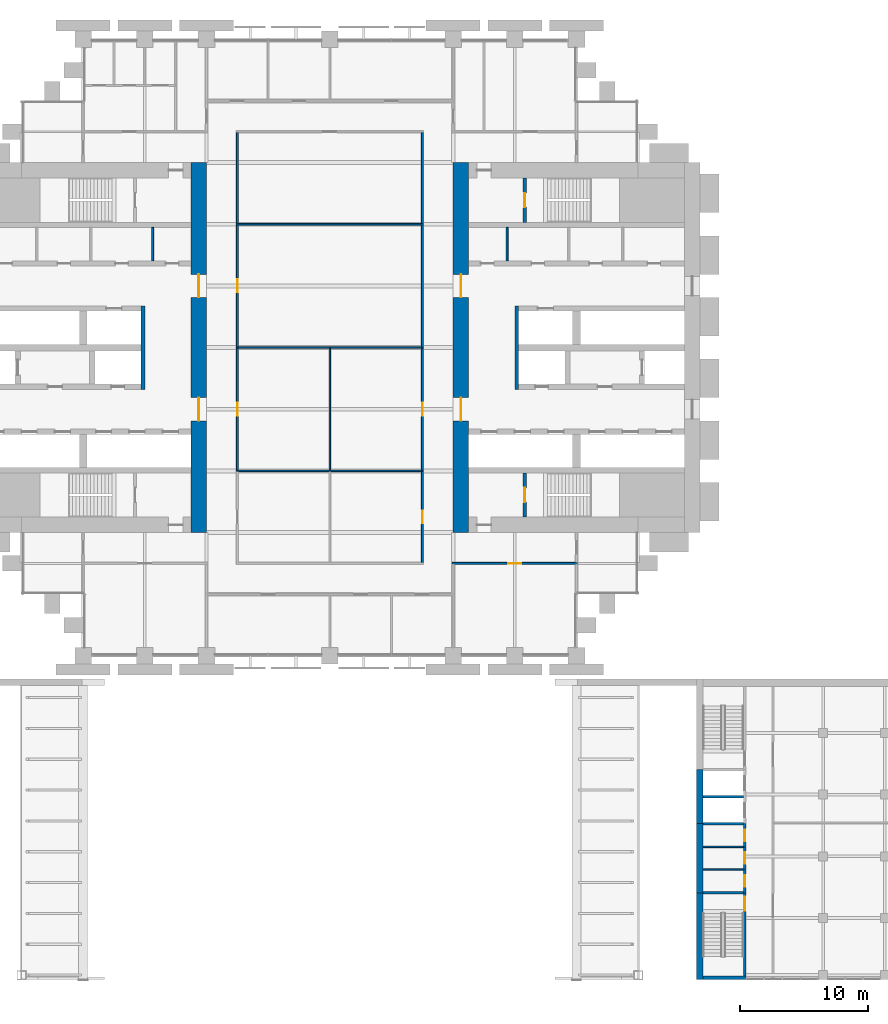
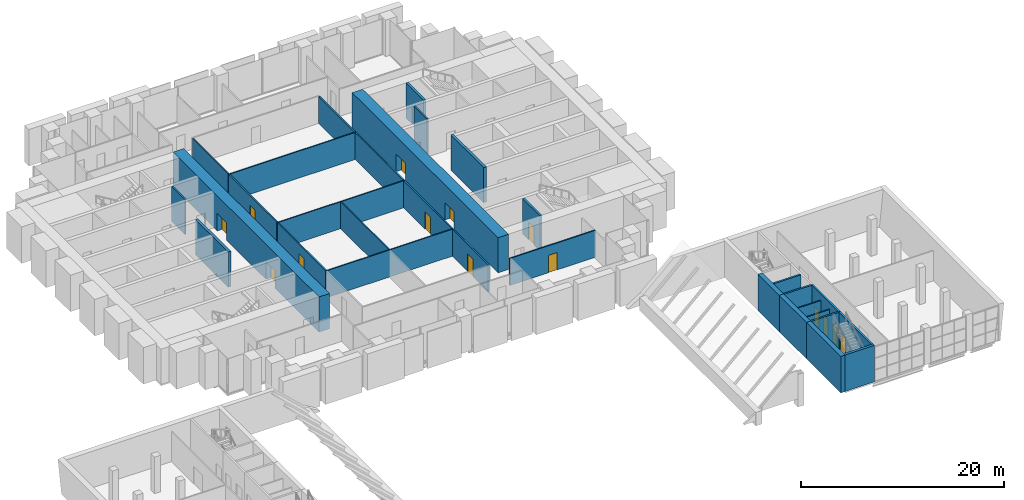
# One storey, part 22 of 30: 31 walls, 15 doors, 15 openings.
"""IFC4 building model written with IfcOpenShell, lengths in metres."""

from ifc_helpers import new_model, si_unit, direction, frame, frame_2d, origin, place, context, subcontext, project, spatial, rectangle, extrude, material, layer, layer_set, type_object, element, fill, save


model = new_model("IFC4")

# Units and contexts
model_context = context("Model", 3, precision=1e-05, world=origin(), true_north=direction((0.0, 1.0)))
body_context = subcontext(model_context, "Body", "Model", "MODEL_VIEW")
ifc_project = project(units=[si_unit("LENGTHUNIT", "METRE"), si_unit("AREAUNIT", "SQUARE_METRE"), si_unit("VOLUMEUNIT", "CUBIC_METRE"), si_unit("PLANEANGLEUNIT", "RADIAN"), si_unit("MASSUNIT", "GRAM", prefix="KILO")], contexts=[model_context])

# Site, building, storey
site_placement = place(None, origin())
site = spatial("IfcSite", under=ifc_project, at=site_placement, CompositionType="ELEMENT")
building_placement = place(site_placement, origin())
building = spatial("IfcBuilding", under=site, at=building_placement, Name="Baori Bourse Tower", CompositionType="ELEMENT")
storey_placement = place(building_placement, frame((0.0, 0.0, 17.0)))
storey = spatial("IfcBuildingStorey", under=building, at=storey_placement, Name="L02", CompositionType="ELEMENT", Elevation=17.0)

# Walls
ifc_material_1 = material(Name="Blockwork partition", Category="masonry")
ifc_layer_1 = layer(ifc_material_1, 0.14990234375)
ifc_layer_set_1 = layer_set([ifc_layer_1], Name="Core partition 150")
wall_type_1 = type_object("IfcWallType", Name="Core partition 150", PredefinedType="PARTITIONING", material=ifc_layer_set_1)
for number, where, z_axis, x_axis, name in (
    (1, (15.0, 30.75, 0.0), (0.0, 0.0, 1.0), (0.0, 1.0, 0.0), "Partition wall W20"),
    (2, (42.60009765625, 30.75, 0.0), (0.0, 0.0, 1.0), (0.0, 1.0, 0.0), "Partition wall E20"),
):
    element("IfcWall", number, at=place(storey_placement, frame(where, z_axis=z_axis, x_axis=x_axis)), inside=storey, type_object=wall_type_1, Name=name, PredefinedType="PARTITIONING", context=body_context, shape_type="SweptSolid", body=[
        extrude(rectangle(XDim=2.60009765625, YDim=0.14990234375, at=frame_2d((1.300048828125, 0.0))), origin(), (0.0, 0.0, 1.0), 4.239990234375),
    ])

# Wall, openings, doors
ifc_material_2 = material(Name="Concrete f'c 70 MPa", Category="concrete")
ifc_layer_2 = layer(ifc_material_2, 1.199951171875)
ifc_layer_set_2 = layer_set([ifc_layer_2], Name="Core wall 1200 f'c 70")
wall_type_2 = type_object("IfcWallType", Name="Core wall 1200 f'c 70", PredefinedType="SHEAR", material=ifc_layer_set_2)
wall_1_placement = place(storey_placement, frame((18.60009765625, 38.39990234375, 0.0), z_axis=(0.0, 0.0, 1.0), x_axis=(0.0, -1.0, 0.0)))
wall_1 = element("IfcWall", 3, at=wall_1_placement, inside=storey, type_object=wall_type_2, Name="Core wall W04", PredefinedType="SHEAR", context=body_context, shape_type="SweptSolid", body=[
    extrude(rectangle(XDim=28.7998046875, YDim=1.199951171875, at=frame_2d((14.39990234375, 0.0))), origin(), (0.0, 0.0, 1.0), 4.239990234375),
])
opening_1_placement = place(wall_1_placement, frame((18.300048828125, 0.0, 0.0)))
opening_1 = element("IfcOpeningElement", 4, at=opening_1_placement, cuts=wall_1, Name="Opening L02-D107", PredefinedType="OPENING", context=body_context, shape_type="SweptSolid", body=[
    extrude(rectangle(XDim=1.800048828125, YDim=2.10009765625, at=frame_2d((0.89990234375, 1.050048828125))), frame((0.0, 0.60986328125, 0.0), z_axis=(0.0, -1.0, 0.0), x_axis=(1.0, 0.0, 0.0)), (0.0, 0.0, 1.0), 1.219970703125),
])
opening_2_placement = place(wall_1_placement, frame((8.699951171875, 0.0, 0.0)))
opening_2 = element("IfcOpeningElement", 5, at=opening_2_placement, cuts=wall_1, Name="Opening L02-D108", PredefinedType="OPENING", context=body_context, shape_type="SweptSolid", body=[
    extrude(rectangle(XDim=1.800048828125, YDim=2.10009765625, at=frame_2d((0.89990234375, 1.050048828125))), frame((0.0, 0.60986328125, 0.0), z_axis=(0.0, -1.0, 0.0), x_axis=(1.0, 0.0, 0.0)), (0.0, 0.0, 1.0), 1.219970703125),
])
ifc_material_3 = material(Name="Painted steel door", Category="steel")
door_type_1 = type_object("IfcDoorType", Name="Core lobby door 1800", OperationType="DOUBLE_DOOR_SINGLE_SWING", PredefinedType="DOOR", material=ifc_material_3)
door_1_placement = place(opening_1_placement, origin())
door_1 = element("IfcDoor", 6, at=door_1_placement, inside=storey, type_object=door_type_1, Name="Lobby door W L02", OperationType="DOUBLE_DOOR_SINGLE_SWING", OverallHeight=2.10009765625, OverallWidth=1.800048828125, PredefinedType="DOOR", context=body_context, shape_type="SweptSolid", body=[
    extrude(rectangle(XDim=1.800048828125, YDim=2.10009765625, at=frame_2d((0.89990234375, 1.050048828125))), frame((0.0, 0.02490234375, 0.0), z_axis=(0.0, -1.0, 0.0), x_axis=(1.0, 0.0, 0.0)), (0.0, 0.0, 1.0), 0.050048828125),
])
fill(opening_1, door_1)
door_2_placement = place(opening_2_placement, origin())
door_2 = element("IfcDoor", 7, at=door_2_placement, inside=storey, type_object=door_type_1, Name="Lobby door W L02", OperationType="DOUBLE_DOOR_SINGLE_SWING", OverallHeight=2.10009765625, OverallWidth=1.800048828125, PredefinedType="DOOR", context=body_context, shape_type="SweptSolid", body=[
    extrude(rectangle(XDim=1.800048828125, YDim=2.10009765625, at=frame_2d((0.89990234375, 1.050048828125))), frame((0.0, 0.02490234375, 0.0), z_axis=(0.0, -1.0, 0.0), x_axis=(1.0, 0.0, 0.0)), (0.0, 0.0, 1.0), 0.050048828125),
])
fill(opening_2, door_2)

wall_2_placement = place(storey_placement, frame((39.0, 9.60009765625, 0.0), z_axis=(0.0, 0.0, 1.0), x_axis=(0.0, 1.0, 0.0)))
wall_2 = element("IfcWall", 8, at=wall_2_placement, inside=storey, type_object=wall_type_2, Name="Core wall E04", PredefinedType="SHEAR", context=body_context, shape_type="SweptSolid", body=[
    extrude(rectangle(XDim=28.7998046875, YDim=1.199951171875, at=frame_2d((14.39990234375, 0.0))), origin(), (0.0, 0.0, 1.0), 4.239990234375),
])
opening_3_placement = place(wall_2_placement, frame((8.699951171875, 0.0, 0.0)))
opening_3 = element("IfcOpeningElement", 9, at=opening_3_placement, cuts=wall_2, Name="Opening L02-D207", PredefinedType="OPENING", context=body_context, shape_type="SweptSolid", body=[
    extrude(rectangle(XDim=1.800048828125, YDim=2.10009765625, at=frame_2d((0.89990234375, 1.050048828125))), frame((0.0, 0.60986328125, 0.0), z_axis=(0.0, -1.0, 0.0), x_axis=(1.0, 0.0, 0.0)), (0.0, 0.0, 1.0), 1.219970703125),
])
opening_4_placement = place(wall_2_placement, frame((18.300048828125, 0.0, 0.0)))
opening_4 = element("IfcOpeningElement", 10, at=opening_4_placement, cuts=wall_2, Name="Opening L02-D208", PredefinedType="OPENING", context=body_context, shape_type="SweptSolid", body=[
    extrude(rectangle(XDim=1.800048828125, YDim=2.10009765625, at=frame_2d((0.89990234375, 1.050048828125))), frame((0.0, 0.60986328125, 0.0), z_axis=(0.0, -1.0, 0.0), x_axis=(1.0, 0.0, 0.0)), (0.0, 0.0, 1.0), 1.219970703125),
])
door_3_placement = place(opening_3_placement, origin())
door_3 = element("IfcDoor", 11, at=door_3_placement, inside=storey, type_object=door_type_1, Name="Lobby door E L02", OperationType="DOUBLE_DOOR_SINGLE_SWING", OverallHeight=2.10009765625, OverallWidth=1.800048828125, PredefinedType="DOOR", context=body_context, shape_type="SweptSolid", body=[
    extrude(rectangle(XDim=1.800048828125, YDim=2.10009765625, at=frame_2d((0.89990234375, 1.050048828125))), frame((0.0, 0.02490234375, 0.0), z_axis=(0.0, -1.0, 0.0), x_axis=(1.0, 0.0, 0.0)), (0.0, 0.0, 1.0), 0.050048828125),
])
fill(opening_3, door_3)
door_4_placement = place(opening_4_placement, origin())
door_4 = element("IfcDoor", 12, at=door_4_placement, inside=storey, type_object=door_type_1, Name="Lobby door E L02", OperationType="DOUBLE_DOOR_SINGLE_SWING", OverallHeight=2.10009765625, OverallWidth=1.800048828125, PredefinedType="DOOR", context=body_context, shape_type="SweptSolid", body=[
    extrude(rectangle(XDim=1.800048828125, YDim=2.10009765625, at=frame_2d((0.89990234375, 1.050048828125))), frame((0.0, 0.02490234375, 0.0), z_axis=(0.0, -1.0, 0.0), x_axis=(1.0, 0.0, 0.0)), (0.0, 0.0, 1.0), 0.050048828125),
])
fill(opening_4, door_4)

# Wall, opening, door
ifc_material_4 = material(Name="Gypsum board partition")
ifc_layer_3 = layer(ifc_material_4, 0.14990234375)
ifc_layer_set_3 = layer_set([ifc_layer_3], Name="Corridor partition 150")
wall_type_3 = type_object("IfcWallType", Name="Corridor partition 150", PredefinedType="PARTITIONING", material=ifc_layer_set_3)
wall_3_placement = place(storey_placement, frame((38.324951171875, 7.199951171875, 0.0), z_axis=(0.0, 0.0, 1.0), x_axis=(1.0, 0.0, 0.0)))
wall_3 = element("IfcWall", 13, at=wall_3_placement, inside=storey, type_object=wall_type_3, Name="Partition", PredefinedType="PARTITIONING", context=body_context, shape_type="SweptSolid", body=[
    extrude(rectangle(XDim=9.75, YDim=0.14990234375, at=frame_2d((4.875, 0.0))), origin(), (0.0, 0.0, 1.0), 3.24951171875),
])
opening_5_placement = place(wall_3_placement, frame((4.375, 0.0, 0.0)))
opening_5 = element("IfcOpeningElement", 14, at=opening_5_placement, cuts=wall_3, Name="Opening L02-D05", PredefinedType="OPENING", context=body_context, shape_type="SweptSolid", body=[
    extrude(rectangle(XDim=1.0, YDim=2.10009765625, at=frame_2d((0.5, 1.050048828125))), frame((0.0, 0.0849609375, 0.0), z_axis=(0.0, -1.0, 0.0), x_axis=(1.0, 0.0, 0.0)), (0.0, 0.0, 1.0), 0.169921875),
])
ifc_material_5 = material(Name="Timber door leaf", Category="wood")
door_type_2 = type_object("IfcDoorType", Name="Door 1000 x 2100", OperationType="SINGLE_SWING_LEFT", PredefinedType="DOOR", material=ifc_material_5)
door_5_placement = place(opening_5_placement, origin())
door_5 = element("IfcDoor", 15, at=door_5_placement, inside=storey, type_object=door_type_2, Name="Door", OperationType="SINGLE_SWING_LEFT", OverallHeight=2.10009765625, OverallWidth=1.0, PredefinedType="DOOR", context=body_context, shape_type="SweptSolid", body=[
    extrude(rectangle(XDim=1.0, YDim=2.10009765625, at=frame_2d((0.5, 1.050048828125))), frame((0.0, 0.02490234375, 0.0), z_axis=(0.0, -1.0, 0.0), x_axis=(1.0, 0.0, 0.0)), (0.0, 0.0, 1.0), 0.050048828125),
])
fill(opening_5, door_5)

wall_4_placement = place(storey_placement, frame((21.60009765625, 14.46240234375, 0.0), z_axis=(0.0, 0.0, 1.0), x_axis=(0.0, 1.0, 0.0)))
wall_4 = element("IfcWall", 16, at=wall_4_placement, inside=storey, type_object=wall_type_3, Name="Partition", PredefinedType="PARTITIONING", context=body_context, shape_type="SweptSolid", body=[
    extrude(rectangle(XDim=9.47509765625, YDim=0.14990234375, at=frame_2d((4.737548828125, 0.0))), origin(), (0.0, 0.0, 1.0), 3.24951171875),
])
opening_6_placement = place(wall_4_placement, frame((4.237548828125, 0.0, 0.0)))
opening_6 = element("IfcOpeningElement", 17, at=opening_6_placement, cuts=wall_4, Name="Opening L02-D19", PredefinedType="OPENING", context=body_context, shape_type="SweptSolid", body=[
    extrude(rectangle(XDim=1.0, YDim=2.10009765625, at=frame_2d((0.5, 1.050048828125))), frame((0.0, 0.0849609375, 0.0), z_axis=(0.0, -1.0, 0.0), x_axis=(1.0, 0.0, 0.0)), (0.0, 0.0, 1.0), 0.169921875),
])
door_6_placement = place(opening_6_placement, origin())
door_6 = element("IfcDoor", 18, at=door_6_placement, inside=storey, type_object=door_type_2, Name="Door", OperationType="SINGLE_SWING_LEFT", OverallHeight=2.10009765625, OverallWidth=1.0, PredefinedType="DOOR", context=body_context, shape_type="SweptSolid", body=[
    extrude(rectangle(XDim=1.0, YDim=2.10009765625, at=frame_2d((0.5, 1.050048828125))), frame((0.0, 0.02490234375, 0.0), z_axis=(0.0, -1.0, 0.0), x_axis=(1.0, 0.0, 0.0)), (0.0, 0.0, 1.0), 0.050048828125),
])
fill(opening_6, door_6)

wall_5_placement = place(storey_placement, frame((21.60009765625, 24.0625, 0.0), z_axis=(0.0, 0.0, 1.0), x_axis=(0.0, 1.0, 0.0)))
wall_5 = element("IfcWall", 19, at=wall_5_placement, inside=storey, type_object=wall_type_3, Name="Partition", PredefinedType="PARTITIONING", context=body_context, shape_type="SweptSolid", body=[
    extrude(rectangle(XDim=9.47509765625, YDim=0.14990234375, at=frame_2d((4.737548828125, 0.0))), origin(), (0.0, 0.0, 1.0), 3.24951171875),
])
opening_7_placement = place(wall_5_placement, frame((4.237548828125, 0.0, 0.0)))
opening_7 = element("IfcOpeningElement", 20, at=opening_7_placement, cuts=wall_5, Name="Opening L02-D20", PredefinedType="OPENING", context=body_context, shape_type="SweptSolid", body=[
    extrude(rectangle(XDim=1.0, YDim=2.10009765625, at=frame_2d((0.5, 1.050048828125))), frame((0.0, 0.0849609375, 0.0), z_axis=(0.0, -1.0, 0.0), x_axis=(1.0, 0.0, 0.0)), (0.0, 0.0, 1.0), 0.169921875),
])
door_7_placement = place(opening_7_placement, origin())
door_7 = element("IfcDoor", 21, at=door_7_placement, inside=storey, type_object=door_type_2, Name="Door", OperationType="SINGLE_SWING_LEFT", OverallHeight=2.10009765625, OverallWidth=1.0, PredefinedType="DOOR", context=body_context, shape_type="SweptSolid", body=[
    extrude(rectangle(XDim=1.0, YDim=2.10009765625, at=frame_2d((0.5, 1.050048828125))), frame((0.0, 0.02490234375, 0.0), z_axis=(0.0, -1.0, 0.0), x_axis=(1.0, 0.0, 0.0)), (0.0, 0.0, 1.0), 0.050048828125),
])
fill(opening_7, door_7)

# Wall
wall_6_placement = place(storey_placement, frame((21.60009765625, 33.66259765625, 0.0), z_axis=(0.0, 0.0, 1.0), x_axis=(0.0, 1.0, 0.0)))
element("IfcWall", 22, at=wall_6_placement, inside=storey, type_object=wall_type_3, Name="Partition", PredefinedType="PARTITIONING", context=body_context, shape_type="SweptSolid", body=[
    extrude(rectangle(XDim=7.0625, YDim=0.14990234375, at=frame_2d((3.53125, 0.0))), origin(), (0.0, 0.0, 1.0), 3.24951171875),
])

# Wall, opening, door
wall_7_placement = place(storey_placement, frame((36.0, 7.27490234375, 0.0), z_axis=(0.0, 0.0, 1.0), x_axis=(0.0, 1.0, 0.0)))
wall_7 = element("IfcWall", 23, at=wall_7_placement, inside=storey, type_object=wall_type_3, Name="Partition", PredefinedType="PARTITIONING", context=body_context, shape_type="SweptSolid", body=[
    extrude(rectangle(XDim=7.0625, YDim=0.14990234375, at=frame_2d((3.53125, 0.0))), origin(), (0.0, 0.0, 1.0), 3.24951171875),
])
opening_8_placement = place(wall_7_placement, frame((3.03125, 0.0, 0.0)))
opening_8 = element("IfcOpeningElement", 24, at=opening_8_placement, cuts=wall_7, Name="Opening L02-D21", PredefinedType="OPENING", context=body_context, shape_type="SweptSolid", body=[
    extrude(rectangle(XDim=1.0, YDim=2.10009765625, at=frame_2d((0.5, 1.050048828125))), frame((0.0, 0.0849609375, 0.0), z_axis=(0.0, -1.0, 0.0), x_axis=(1.0, 0.0, 0.0)), (0.0, 0.0, 1.0), 0.169921875),
])
door_8_placement = place(opening_8_placement, origin())
door_8 = element("IfcDoor", 25, at=door_8_placement, inside=storey, type_object=door_type_2, Name="Door", OperationType="SINGLE_SWING_RIGHT", OverallHeight=2.10009765625, OverallWidth=1.0, PredefinedType="DOOR", context=body_context, shape_type="SweptSolid", body=[
    extrude(rectangle(XDim=1.0, YDim=2.10009765625, at=frame_2d((0.5, 1.050048828125))), frame((0.0, 0.02490234375, 0.0), z_axis=(0.0, -1.0, 0.0), x_axis=(1.0, 0.0, 0.0)), (0.0, 0.0, 1.0), 0.050048828125),
])
fill(opening_8, door_8)

wall_8_placement = place(storey_placement, frame((36.0, 14.46240234375, 0.0), z_axis=(0.0, 0.0, 1.0), x_axis=(0.0, 1.0, 0.0)))
wall_8 = element("IfcWall", 26, at=wall_8_placement, inside=storey, type_object=wall_type_3, Name="Partition", PredefinedType="PARTITIONING", context=body_context, shape_type="SweptSolid", body=[
    extrude(rectangle(XDim=9.47509765625, YDim=0.14990234375, at=frame_2d((4.737548828125, 0.0))), origin(), (0.0, 0.0, 1.0), 3.24951171875),
])
opening_9_placement = place(wall_8_placement, frame((4.237548828125, 0.0, 0.0)))
opening_9 = element("IfcOpeningElement", 27, at=opening_9_placement, cuts=wall_8, Name="Opening L02-D22", PredefinedType="OPENING", context=body_context, shape_type="SweptSolid", body=[
    extrude(rectangle(XDim=1.0, YDim=2.10009765625, at=frame_2d((0.5, 1.050048828125))), frame((0.0, 0.0849609375, 0.0), z_axis=(0.0, -1.0, 0.0), x_axis=(1.0, 0.0, 0.0)), (0.0, 0.0, 1.0), 0.169921875),
])
door_9_placement = place(opening_9_placement, origin())
door_9 = element("IfcDoor", 28, at=door_9_placement, inside=storey, type_object=door_type_2, Name="Door", OperationType="SINGLE_SWING_RIGHT", OverallHeight=2.10009765625, OverallWidth=1.0, PredefinedType="DOOR", context=body_context, shape_type="SweptSolid", body=[
    extrude(rectangle(XDim=1.0, YDim=2.10009765625, at=frame_2d((0.5, 1.050048828125))), frame((0.0, 0.02490234375, 0.0), z_axis=(0.0, -1.0, 0.0), x_axis=(1.0, 0.0, 0.0)), (0.0, 0.0, 1.0), 0.050048828125),
])
fill(opening_9, door_9)

# Walls
wall_9_placement = place(storey_placement, frame((36.0, 24.0625, 0.0), z_axis=(0.0, 0.0, 1.0), x_axis=(0.0, 1.0, 0.0)))
element("IfcWall", 29, at=wall_9_placement, inside=storey, type_object=wall_type_3, Name="Partition", PredefinedType="PARTITIONING", context=body_context, shape_type="SweptSolid", body=[
    extrude(rectangle(XDim=9.47509765625, YDim=0.14990234375, at=frame_2d((4.737548828125, 0.0))), origin(), (0.0, 0.0, 1.0), 3.24951171875),
])
wall_10_placement = place(storey_placement, frame((36.0, 33.66259765625, 0.0), z_axis=(0.0, 0.0, 1.0), x_axis=(0.0, 1.0, 0.0)))
element("IfcWall", 30, at=wall_10_placement, inside=storey, type_object=wall_type_3, Name="Partition", PredefinedType="PARTITIONING", context=body_context, shape_type="SweptSolid", body=[
    extrude(rectangle(XDim=7.0625, YDim=0.14990234375, at=frame_2d((3.53125, 0.0))), origin(), (0.0, 0.0, 1.0), 3.24951171875),
])
ifc_material_6 = material(Name="Concrete f'c 50 MPa", Category="concrete")
ifc_layer_4 = layer(ifc_material_6, 0.300048828125)
ifc_layer_set_4 = layer_set([ifc_layer_4], Name="Entrance wall 300")
wall_type_4 = type_object("IfcWallType", Name="Entrance wall 300", PredefinedType="SOLIDWALL", material=ifc_layer_set_4)
wall_11_placement = place(storey_placement, frame((61.199951171875, -25.050048828125, 0.0), z_axis=(0.0, 0.0, 1.0), x_axis=(-1.0, 0.0, 0.0)))
element("IfcWall", 31, at=wall_11_placement, inside=storey, type_object=wall_type_4, Name="wing/L02/Esouthwall/001", PredefinedType="SOLIDWALL", context=body_context, shape_type="SweptSolid", body=[
    extrude(rectangle(XDim=3.349853515625, YDim=0.300048828125, at=frame_2d((1.6748046875, 0.0))), origin(), (0.0, 0.0, 1.0), 4.39990234375),
])
ifc_material_7 = material(Name="Concrete f'c 50 MPa", Category="concrete")
ifc_layer_5 = layer(ifc_material_7, 0.5)
ifc_layer_set_5 = layer_set([ifc_layer_5], Name="Hall end wall 500")
wall_type_5 = type_object("IfcWallType", Name="Hall end wall 500", PredefinedType="SOLIDWALL", material=ifc_layer_set_5)
wall_12_placement = place(storey_placement, frame((57.60009765625, -8.860107421875, 0.0), z_axis=(0.0, 0.0, 1.0), x_axis=(0.0, -1.0, 0.0)))
element("IfcWall", 32, at=wall_12_placement, inside=storey, type_object=wall_type_5, Name="wing/L02/Ehallwall/002", PredefinedType="SOLIDWALL", context=body_context, shape_type="SweptSolid", body=[
    extrude(rectangle(XDim=4.199951171875, YDim=0.5, at=frame_2d((2.10009765625, 0.0))), origin(), (0.0, 0.0, 1.0), 4.39990234375),
])
wall_13_placement = place(storey_placement, frame((57.60009765625, -13.06005859375, 0.0), z_axis=(0.0, 0.0, 1.0), x_axis=(0.0, -1.0, 0.0)))
element("IfcWall", 33, at=wall_13_placement, inside=storey, type_object=wall_type_5, Name="wing/L02/Ehallwall/003", PredefinedType="SOLIDWALL", context=body_context, shape_type="SweptSolid", body=[
    extrude(rectangle(XDim=5.3798828125, YDim=0.5, at=frame_2d((2.68994140625, 0.0))), origin(), (0.0, 0.0, 1.0), 4.39990234375),
])
wall_14_placement = place(storey_placement, frame((57.60009765625, -18.43994140625, 0.0), z_axis=(0.0, 0.0, 1.0), x_axis=(0.0, -1.0, 0.0)))
element("IfcWall", 34, at=wall_14_placement, inside=storey, type_object=wall_type_5, Name="wing/L02/Ehallwall/004", PredefinedType="SOLIDWALL", context=body_context, shape_type="SweptSolid", body=[
    extrude(rectangle(XDim=6.760009765625, YDim=0.5, at=frame_2d((3.3798828125, 0.0))), origin(), (0.0, 0.0, 1.0), 4.39990234375),
])
ifc_material_8 = material(Name="Gypsum board partition")
ifc_layer_6 = layer(ifc_material_8, 0.125)
ifc_layer_set_6 = layer_set([ifc_layer_6], Name="Partition 125")
wall_type_6 = type_object("IfcWallType", Name="Partition 125", PredefinedType="PARTITIONING", material=ifc_layer_set_6)
for number, where, z_axis, x_axis, name in (
    (35, (21.52490234375, 14.39990234375, 0.0), (0.0, 0.0, 1.0), (1.0, 0.0, 0.0), "Partition"),
    (36, (21.52490234375, 24.0, 0.0), (0.0, 0.0, 1.0), (1.0, 0.0, 0.0), "Partition"),
    (37, (21.52490234375, 33.60009765625, 0.0), (0.0, 0.0, 1.0), (1.0, 0.0, 0.0), "Partition"),
):
    element("IfcWall", number, at=place(storey_placement, frame(where, z_axis=z_axis, x_axis=x_axis)), inside=storey, type_object=wall_type_6, Name=name, PredefinedType="PARTITIONING", context=body_context, shape_type="SweptSolid", body=[
        extrude(rectangle(XDim=14.550048828125, YDim=0.125, at=frame_2d((7.27490234375, 0.0))), origin(), (0.0, 0.0, 1.0), 3.24951171875),
    ])
wall_15_placement = place(storey_placement, frame((28.800048828125, 14.46240234375, 0.0), z_axis=(0.0, 0.0, 1.0), x_axis=(0.0, 1.0, 0.0)))
element("IfcWall", 38, at=wall_15_placement, inside=storey, type_object=wall_type_6, Name="Partition", PredefinedType="PARTITIONING", context=body_context, shape_type="SweptSolid", body=[
    extrude(rectangle(XDim=9.47509765625, YDim=0.125, at=frame_2d((4.737548828125, 0.0))), origin(), (0.0, 0.0, 1.0), 3.24951171875),
])

# Wall, openings, doors
ifc_material_9 = material(Name="Concrete f'c 50 MPa", Category="concrete")
ifc_layer_7 = layer(ifc_material_9, 0.199951171875)
ifc_layer_set_7 = layer_set([ifc_layer_7], Name="Shaft wall 200")
wall_type_7 = type_object("IfcWallType", Name="Shaft wall 200", PredefinedType="SOLIDWALL", material=ifc_layer_set_7)
wall_16_placement = place(storey_placement, frame((61.10009765625, -13.06005859375, 0.0), z_axis=(0.0, 0.0, 1.0), x_axis=(0.0, -1.0, 0.0)))
wall_16 = element("IfcWall", 39, at=wall_16_placement, inside=storey, type_object=wall_type_7, Name="wing/L02/EcorrwallE/003", PredefinedType="SOLIDWALL", context=body_context, shape_type="SweptSolid", body=[
    extrude(rectangle(XDim=5.3798828125, YDim=0.199951171875, at=frame_2d((2.68994140625, 0.0))), origin(), (0.0, 0.0, 1.0), 4.39990234375),
])
opening_10_placement = place(wall_16_placement, frame((0.4716796875, 0.0, 0.0)))
opening_10 = element("IfcOpeningElement", 40, at=opening_10_placement, cuts=wall_16, Name="Opening WGE-L02-05", PredefinedType="OPENING", context=body_context, shape_type="SweptSolid", body=[
    extrude(rectangle(XDim=0.89990234375, YDim=2.10009765625, at=frame_2d((0.449951171875, 1.050048828125))), frame((0.0, 0.10986328125, 0.0), z_axis=(0.0, -1.0, 0.0), x_axis=(1.0, 0.0, 0.0)), (0.0, 0.0, 1.0), 0.219970703125),
])
opening_11_placement = place(wall_16_placement, frame((2.239990234375, 0.0, 0.0)))
opening_11 = element("IfcOpeningElement", 41, at=opening_11_placement, cuts=wall_16, Name="Opening WGE-L02-06", PredefinedType="OPENING", context=body_context, shape_type="SweptSolid", body=[
    extrude(rectangle(XDim=0.89990234375, YDim=2.10009765625, at=frame_2d((0.449951171875, 1.050048828125))), frame((0.0, 0.10986328125, 0.0), z_axis=(0.0, -1.0, 0.0), x_axis=(1.0, 0.0, 0.0)), (0.0, 0.0, 1.0), 0.219970703125),
])
opening_12_placement = place(wall_16_placement, frame((4.00830078125, 0.0, 0.0)))
opening_12 = element("IfcOpeningElement", 42, at=opening_12_placement, cuts=wall_16, Name="Opening WGE-L02-07", PredefinedType="OPENING", context=body_context, shape_type="SweptSolid", body=[
    extrude(rectangle(XDim=0.89990234375, YDim=2.10009765625, at=frame_2d((0.449951171875, 1.050048828125))), frame((0.0, 0.10986328125, 0.0), z_axis=(0.0, -1.0, 0.0), x_axis=(1.0, 0.0, 0.0)), (0.0, 0.0, 1.0), 0.219970703125),
])
ifc_material_10 = material(Name="Timber door", Category="wood")
door_type_3 = type_object("IfcDoorType", Name="Wing toilet door 900x2100", OperationType="SINGLE_SWING_LEFT", PredefinedType="DOOR", material=ifc_material_10)
door_10_placement = place(opening_10_placement, origin())
door_10 = element("IfcDoor", 43, at=door_10_placement, inside=storey, type_object=door_type_3, Name="WGE-L02-05", OperationType="SINGLE_SWING_LEFT", OverallHeight=2.10009765625, OverallWidth=0.89990234375, PredefinedType="DOOR", context=body_context, shape_type="SweptSolid", body=[
    extrude(rectangle(XDim=0.89990234375, YDim=2.10009765625, at=frame_2d((0.449951171875, 1.050048828125))), frame((0.0, 0.02490234375, 0.0), z_axis=(0.0, -1.0, 0.0), x_axis=(1.0, 0.0, 0.0)), (0.0, 0.0, 1.0), 0.050048828125),
])
fill(opening_10, door_10)
door_11_placement = place(opening_11_placement, origin())
door_11 = element("IfcDoor", 44, at=door_11_placement, inside=storey, type_object=door_type_3, Name="WGE-L02-06", OperationType="SINGLE_SWING_LEFT", OverallHeight=2.10009765625, OverallWidth=0.89990234375, PredefinedType="DOOR", context=body_context, shape_type="SweptSolid", body=[
    extrude(rectangle(XDim=0.89990234375, YDim=2.10009765625, at=frame_2d((0.449951171875, 1.050048828125))), frame((0.0, 0.02490234375, 0.0), z_axis=(0.0, -1.0, 0.0), x_axis=(1.0, 0.0, 0.0)), (0.0, 0.0, 1.0), 0.050048828125),
])
fill(opening_11, door_11)
door_12_placement = place(opening_12_placement, origin())
door_12 = element("IfcDoor", 45, at=door_12_placement, inside=storey, type_object=door_type_3, Name="WGE-L02-07", OperationType="SINGLE_SWING_LEFT", OverallHeight=2.10009765625, OverallWidth=0.89990234375, PredefinedType="DOOR", context=body_context, shape_type="SweptSolid", body=[
    extrude(rectangle(XDim=0.89990234375, YDim=2.10009765625, at=frame_2d((0.449951171875, 1.050048828125))), frame((0.0, 0.02490234375, 0.0), z_axis=(0.0, -1.0, 0.0), x_axis=(1.0, 0.0, 0.0)), (0.0, 0.0, 1.0), 0.050048828125),
])
fill(opening_12, door_12)

# Wall, opening, door
wall_17_placement = place(storey_placement, frame((61.10009765625, -18.43994140625, 0.0), z_axis=(0.0, 0.0, 1.0), x_axis=(0.0, -1.0, 0.0)))
wall_17 = element("IfcWall", 46, at=wall_17_placement, inside=storey, type_object=wall_type_7, Name="wing/L02/EcorrwallE/004", PredefinedType="SOLIDWALL", context=body_context, shape_type="SweptSolid", body=[
    extrude(rectangle(XDim=6.4599609375, YDim=0.199951171875, at=frame_2d((3.22998046875, 0.0))), origin(), (0.0, 0.0, 1.0), 4.39990234375),
])
opening_13_placement = place(wall_17_placement, frame((0.300048828125, 0.0, 0.0)))
opening_13 = element("IfcOpeningElement", 47, at=opening_13_placement, cuts=wall_17, Name="Opening WGE-L02-02", PredefinedType="OPENING", context=body_context, shape_type="SweptSolid", body=[
    extrude(rectangle(XDim=1.10009765625, YDim=2.10009765625, at=frame_2d((0.550048828125, 1.050048828125))), frame((0.0, 0.10986328125, 0.0), z_axis=(0.0, -1.0, 0.0), x_axis=(1.0, 0.0, 0.0)), (0.0, 0.0, 1.0), 0.219970703125),
])
ifc_material_11 = material(Name="Steel fire door", Category="steel")
door_type_4 = type_object("IfcDoorType", Name="Wing stair door 1100", OperationType="SINGLE_SWING_LEFT", PredefinedType="DOOR", material=ifc_material_11)
door_13_placement = place(opening_13_placement, origin())
door_13 = element("IfcDoor", 48, at=door_13_placement, inside=storey, type_object=door_type_4, Name="WGE-L02-02", OperationType="SINGLE_SWING_LEFT", OverallHeight=2.10009765625, OverallWidth=1.10009765625, PredefinedType="DOOR", context=body_context, shape_type="SweptSolid", body=[
    extrude(rectangle(XDim=1.10009765625, YDim=2.10009765625, at=frame_2d((0.550048828125, 1.050048828125))), frame((0.0, 0.02490234375, 0.0), z_axis=(0.0, -1.0, 0.0), x_axis=(1.0, 0.0, 0.0)), (0.0, 0.0, 1.0), 0.050048828125),
])
fill(opening_13, door_13)

# Walls
for number, where, z_axis, x_axis, name in (
    (49, (61.0, -10.9599609375, 0.0), (0.0, 0.0, 1.0), (-1.0, 0.0, 0.0), "wing/L02/Eshaftwall/002"),
    (50, (61.0, -13.06005859375, 0.0), (0.0, 0.0, 1.0), (-1.0, 0.0, 0.0), "wing/L02/Eshaftwall/003"),
    (51, (61.0, -18.43994140625, 0.0), (0.0, 0.0, 1.0), (-1.0, 0.0, 0.0), "wing/L02/Eshaftwall/004"),
):
    element("IfcWall", number, at=place(storey_placement, frame(where, z_axis=z_axis, x_axis=x_axis)), inside=storey, type_object=wall_type_7, Name=name, PredefinedType="SOLIDWALL", context=body_context, shape_type="SweptSolid", body=[
        extrude(rectangle(XDim=3.14990234375, YDim=0.199951171875, at=frame_2d((1.574951171875, 0.0))), origin(), (0.0, 0.0, 1.0), 4.39990234375),
    ])

# Wall, opening, door
ifc_material_12 = material(Name="Concrete f'c 70 MPa", Category="concrete")
ifc_layer_8 = layer(ifc_material_12, 0.25)
ifc_layer_set_8 = layer_set([ifc_layer_8], Name="Shaft wall 250 f'c 70")
wall_type_8 = type_object("IfcWallType", Name="Shaft wall 250 f'c 70", PredefinedType="SHEAR", material=ifc_layer_set_8)
wall_18_placement = place(storey_placement, frame((43.97509765625, 10.800048828125, 0.0), z_axis=(0.0, 0.0, 1.0), x_axis=(0.0, 1.0, 0.0)))
wall_18 = element("IfcWall", 52, at=wall_18_placement, inside=storey, type_object=wall_type_8, Name="Core wall E06", PredefinedType="SHEAR", context=body_context, shape_type="SweptSolid", body=[
    extrude(rectangle(XDim=3.449951171875, YDim=0.25, at=frame_2d((1.72509765625, 0.0))), origin(), (0.0, 0.0, 1.0), 4.239990234375),
])
opening_14_placement = place(wall_18_placement, frame((1.175048828125, 0.0, 0.0)))
opening_14 = element("IfcOpeningElement", 53, at=opening_14_placement, cuts=wall_18, Name="Opening L02-D201", PredefinedType="OPENING", context=body_context, shape_type="SweptSolid", body=[
    extrude(rectangle(XDim=1.10009765625, YDim=2.10009765625, at=frame_2d((0.550048828125, 1.050048828125))), frame((0.0, 0.135009765625, 0.0), z_axis=(0.0, -1.0, 0.0), x_axis=(1.0, 0.0, 0.0)), (0.0, 0.0, 1.0), 0.27001953125),
])
ifc_material_13 = material(Name="Painted steel door", Category="steel")
door_type_5 = type_object("IfcDoorType", Name="Stair door 1100", OperationType="SINGLE_SWING_LEFT", PredefinedType="DOOR", material=ifc_material_13)
door_14_placement = place(opening_14_placement, origin())
door_14 = element("IfcDoor", 54, at=door_14_placement, inside=storey, type_object=door_type_5, Name="Stair door A E L02", OperationType="SINGLE_SWING_LEFT", OverallHeight=2.10009765625, OverallWidth=1.10009765625, PredefinedType="DOOR", context=body_context, shape_type="SweptSolid", body=[
    extrude(rectangle(XDim=1.10009765625, YDim=2.10009765625, at=frame_2d((0.550048828125, 1.050048828125))), frame((0.0, 0.02490234375, 0.0), z_axis=(0.0, -1.0, 0.0), x_axis=(1.0, 0.0, 0.0)), (0.0, 0.0, 1.0), 0.050048828125),
])
fill(opening_14, door_14)

wall_19_placement = place(storey_placement, frame((43.97509765625, 33.75, 0.0), z_axis=(0.0, 0.0, 1.0), x_axis=(0.0, 1.0, 0.0)))
wall_19 = element("IfcWall", 55, at=wall_19_placement, inside=storey, type_object=wall_type_8, Name="Core wall E23", PredefinedType="SHEAR", context=body_context, shape_type="SweptSolid", body=[
    extrude(rectangle(XDim=3.449951171875, YDim=0.25, at=frame_2d((1.72509765625, 0.0))), origin(), (0.0, 0.0, 1.0), 4.239990234375),
])
opening_15_placement = place(wall_19_placement, frame((1.175048828125, 0.0, 0.0)))
opening_15 = element("IfcOpeningElement", 56, at=opening_15_placement, cuts=wall_19, Name="Opening L02-D203", PredefinedType="OPENING", context=body_context, shape_type="SweptSolid", body=[
    extrude(rectangle(XDim=1.10009765625, YDim=2.10009765625, at=frame_2d((0.550048828125, 1.050048828125))), frame((0.0, 0.135009765625, 0.0), z_axis=(0.0, -1.0, 0.0), x_axis=(1.0, 0.0, 0.0)), (0.0, 0.0, 1.0), 0.27001953125),
])
door_15_placement = place(opening_15_placement, origin())
door_15 = element("IfcDoor", 57, at=door_15_placement, inside=storey, type_object=door_type_5, Name="Stair door B E L02", OperationType="SINGLE_SWING_LEFT", OverallHeight=2.10009765625, OverallWidth=1.10009765625, PredefinedType="DOOR", context=body_context, shape_type="SweptSolid", body=[
    extrude(rectangle(XDim=1.10009765625, YDim=2.10009765625, at=frame_2d((0.550048828125, 1.050048828125))), frame((0.0, 0.02490234375, 0.0), z_axis=(0.0, -1.0, 0.0), x_axis=(1.0, 0.0, 0.0)), (0.0, 0.0, 1.0), 0.050048828125),
])
fill(opening_15, door_15)

# Walls
ifc_material_14 = material(Name="Concrete f'c 70 MPa", Category="concrete")
ifc_layer_9 = layer(ifc_material_14, 0.300048828125)
ifc_layer_set_9 = layer_set([ifc_layer_9], Name="Shaft wall 300 f'c 70")
wall_type_9 = type_object("IfcWallType", Name="Shaft wall 300 f'c 70", PredefinedType="SHEAR", material=ifc_layer_set_9)
for number, where, z_axis, x_axis, name in (
    (58, (14.25, 20.75, 0.0), (0.0, 0.0, 1.0), (0.0, 1.0, 0.0), "Core wall W11"),
    (59, (43.35009765625, 20.75, 0.0), (0.0, 0.0, 1.0), (0.0, 1.0, 0.0), "Core wall E11"),
):
    element("IfcWall", number, at=place(storey_placement, frame(where, z_axis=z_axis, x_axis=x_axis)), inside=storey, type_object=wall_type_9, Name=name, PredefinedType="SHEAR", context=body_context, shape_type="SweptSolid", body=[
        extrude(rectangle(XDim=6.5, YDim=0.300048828125, at=frame_2d((3.25, 0.0))), origin(), (0.0, 0.0, 1.0), 4.239990234375),
    ])
ifc_material_15 = material(Name="Gypsum board partition")
ifc_layer_10 = layer(ifc_material_15, 0.125)
ifc_layer_set_10 = layer_set([ifc_layer_10], Name="Wing partition 125")
wall_type_10 = type_object("IfcWallType", Name="Wing partition 125", PredefinedType="PARTITIONING", material=ifc_layer_set_10)
for number, where, z_axis, x_axis, name in (
    (60, (61.0, -14.86572265625, 0.0), (0.0, 0.0, 1.0), (-1.0, 0.0, 0.0), "wing/L02/Ewcwall/001"),
    (61, (61.0, -16.63427734375, 0.0), (0.0, 0.0, 1.0), (-1.0, 0.0, 0.0), "wing/L02/Ewcwall/002"),
):
    element("IfcWall", number, at=place(storey_placement, frame(where, z_axis=z_axis, x_axis=x_axis)), inside=storey, type_object=wall_type_10, Name=name, PredefinedType="PARTITIONING", context=body_context, shape_type="SweptSolid", body=[
        extrude(rectangle(XDim=3.14990234375, YDim=0.125, at=frame_2d((1.574951171875, 0.0))), origin(), (0.0, 0.0, 1.0), 3.6201171875),
    ])

save(model, "model.ifc")
